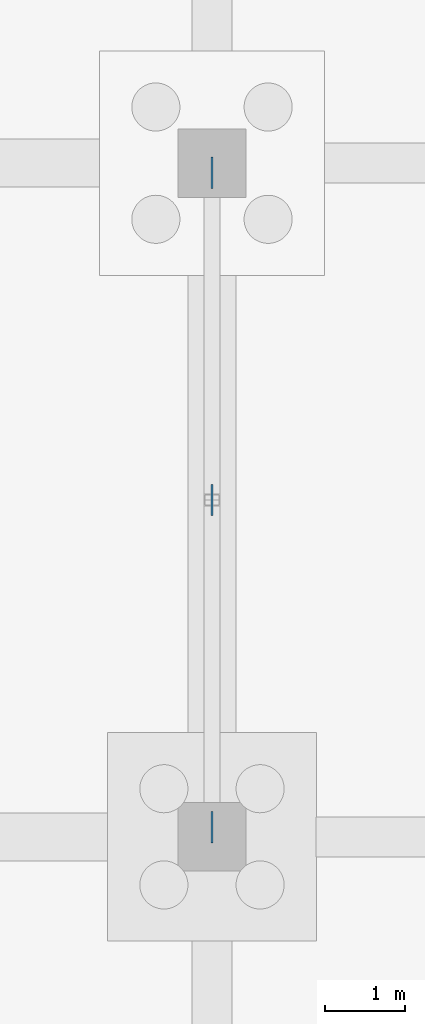
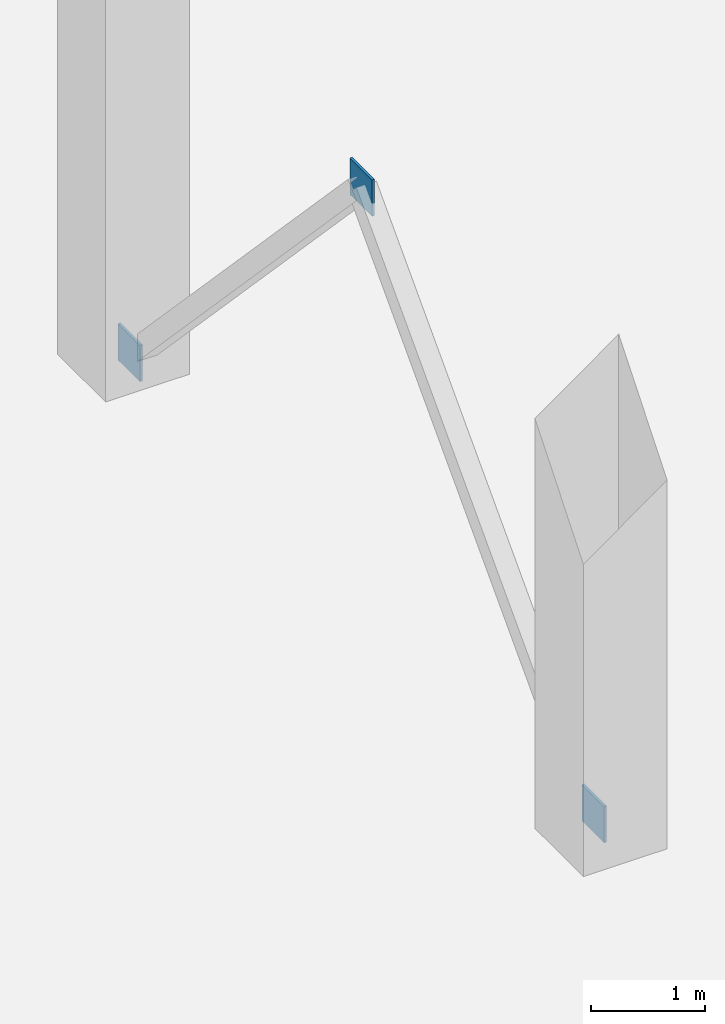
# One storey, part 97 of 136: 3 plates.
"""IFC4 building model written with IfcOpenShell, lengths in metres."""

from ifc_helpers import new_model, si_unit, direction, frame, origin, origin_2d, place, context, subcontext, project, spatial, rectangle, extrude, material, layer, layer_set, type_object, element, save


model = new_model("IFC4")

# Units and contexts
model_context = context("Model", 3, precision=1e-05, world=origin(), true_north=direction((0.0, 1.0)))
body_context = subcontext(model_context, "Body", "Model", "MODEL_VIEW")
ifc_project = project(units=[si_unit("LENGTHUNIT", "METRE"), si_unit("AREAUNIT", "SQUARE_METRE"), si_unit("VOLUMEUNIT", "CUBIC_METRE"), si_unit("PLANEANGLEUNIT", "RADIAN"), si_unit("MASSUNIT", "GRAM", prefix="KILO")], contexts=[model_context])

# Site, building, storey
site_placement = place(None, origin())
site = spatial("IfcSite", under=ifc_project, at=site_placement, CompositionType="ELEMENT")
building_placement = place(site_placement, origin())
building = spatial("IfcBuilding", under=site, at=building_placement, Name="Oolite Switchyard Hospital", CompositionType="ELEMENT")
storey_placement = place(building_placement, origin())
storey = spatial("IfcBuildingStorey", under=building, at=storey_placement, Name="L00", CompositionType="ELEMENT", Elevation=0.0)

# Plates
ifc_material = material(Name="Steel ASTM A572 Grade 50", Category="steel")
ifc_layer = layer(ifc_material, 0.02587890625)
ifc_layer_set = layer_set([ifc_layer], Name="PLT-GUS-390")
plate_type = type_object("IfcPlateType", Name="PLT-GUS-390", PredefinedType="SHEET", material=ifc_layer_set)
for number, where, z_axis, x_axis, name in (
    (1, (9.60009765625, 100.919921875, 0.0048828125), (0.0, 0.0, 1.0), (0.0, 1.0, 0.0), "L00 Brace Base Gusset Plate 121"),
    (2, (9.60009765625, 109.080078125, 0.0048828125), (0.0, 0.0, 1.0), (0.0, 1.0, 0.0), "L00 Brace Base Gusset Plate 122"),
    (3, (9.60009765625, 105.0, 4.2548828125), (0.0, 0.0, 1.0), (0.0, 1.0, 0.0), "L00 Gusset Connection Plate 123"),
):
    element("IfcPlate", number, at=place(storey_placement, frame(where, z_axis=z_axis, x_axis=x_axis)), inside=storey, type_object=plate_type, Name=name, PredefinedType="SHEET", context=body_context, shape_type="SweptSolid", body=[
        extrude(rectangle(XDim=0.389892578125, YDim=0.02587890625, at=origin_2d()), origin(), (0.0, 0.0, 1.0), 0.389892578125),
    ])

save(model, "model.ifc")
